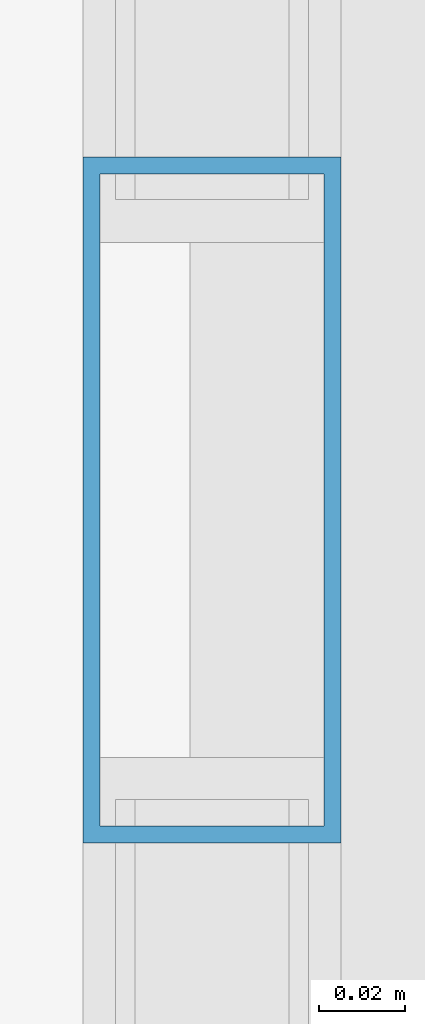
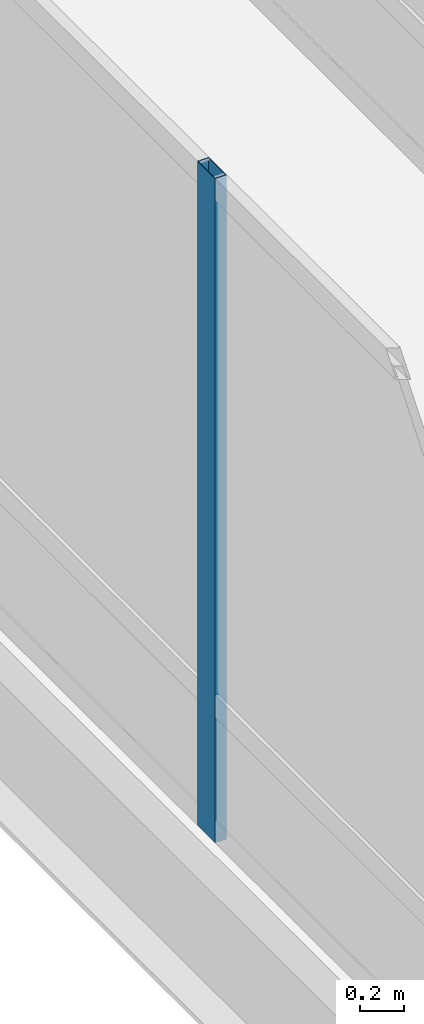
# One storey, part 27 of 220: 1 member, 1 element without a shape of its own.
"""IFC4 building model written with IfcOpenShell, lengths in metres."""

import ifcopenshell
import ifcopenshell.guid

model = None  # the IFC model being written
_history = None  # IfcOwnerHistory: only IFC2X3 demands one
_inside = {}  # id of a spatial element -> (the spatial element, [elements in it])
_under = {}  # id of a project, library or spatial element -> (it, [spatial elements below it])
_declared = {}  # id of a project -> (the project, [libraries it declares])
_typed = {}  # id of a type object -> (the type object, [elements of that type])
_made_of = {}  # id of a material, layer set ... -> (it, [elements and type objects made of it])


def new_model(schema):
    """Start an empty IFC model of exactly this schema.

    Asked for "IFC4X3", IfcOpenShell would pick the latest addendum, in which some entities
    have other attributes; the version numbers below select the first issue.
    IFC2X3 requires an IfcOwnerHistory on every rooted entity: one is made here for all.
    """
    global model, _history
    if schema == "IFC4X3":
        model = ifcopenshell.file(schema_version=(4, 3, 0, 0))
    else:
        model = ifcopenshell.file(schema=schema)
    _inside.clear()
    _under.clear()
    _declared.clear()
    _typed.clear()
    _made_of.clear()
    _history = None
    if model.schema == "IFC2X3":
        org = make("IfcOrganization", Name="unknown")
        user = make(
            "IfcPersonAndOrganization",
            ThePerson=make("IfcPerson", FamilyName="unknown"),
            TheOrganization=org,
        )
        app = make(
            "IfcApplication",
            ApplicationDeveloper=org,
            Version="unknown",
            ApplicationFullName="unknown",
            ApplicationIdentifier="unknown",
        )
        _history = make(
            "IfcOwnerHistory",
            OwningUser=user,
            OwningApplication=app,
            ChangeAction="ADDED",
            CreationDate=0,
        )
    return model


def make(cls, **values):
    """One entity of the class cls with the attributes given. An attribute that is None is left unset."""
    return model.create_entity(
        cls, **{name: value for name, value in values.items() if value is not None}
    )


def rooted(cls, **values):
    """An entity with a GlobalId (a new one), such as an element, a storey or a relation."""
    return make(cls, GlobalId=ifcopenshell.guid.new(), OwnerHistory=_history, **values)


def si_unit(unit_type, name, prefix=None):
    """IfcSIUnit, for example si_unit("LENGTHUNIT", "METRE", prefix="MILLI")."""
    return make("IfcSIUnit", UnitType=unit_type, Prefix=prefix, Name=name)


def assignment(units):
    """IfcUnitAssignment: the units of a project."""
    return None if units is None else make("IfcUnitAssignment", Units=units)


def point(xyz):
    """IfcCartesianPoint."""
    return None if xyz is None else make("IfcCartesianPoint", Coordinates=xyz)


def direction(xyz):
    """IfcDirection."""
    return None if xyz is None else make("IfcDirection", DirectionRatios=xyz)


def frame(location, z_axis=None, x_axis=None):
    """IfcAxis2Placement3D, a coordinate frame: its origin and axes. An axis left out is left unset."""
    return make(
        "IfcAxis2Placement3D",
        Location=point(location),
        Axis=direction(z_axis),
        RefDirection=direction(x_axis),
    )


def frame_2d(location, x_axis=None):
    """IfcAxis2Placement2D, a coordinate frame in the plane: its origin and x axis."""
    return make(
        "IfcAxis2Placement2D", Location=point(location), RefDirection=direction(x_axis)
    )


def origin():
    """The frame at (0, 0, 0) with its axes left unset."""
    return frame((0.0, 0.0, 0.0))


def origin_2d():
    """The frame at (0, 0) in the plane with its x axis left unset."""
    return frame_2d((0.0, 0.0))


def place(relative_to, where):
    """IfcLocalPlacement: puts the frame where relative to a parent placement (None: the world)."""
    return make(
        "IfcLocalPlacement", PlacementRelTo=relative_to, RelativePlacement=where
    )


def context(
    kind, dimensions, precision=None, world=None, true_north=None, identifier=None
):
    """IfcGeometricRepresentationContext, for example the 3D "Model" context."""
    return make(
        "IfcGeometricRepresentationContext",
        ContextIdentifier=identifier,
        ContextType=kind,
        CoordinateSpaceDimension=dimensions,
        Precision=precision,
        WorldCoordinateSystem=world,
        TrueNorth=true_north,
    )


def subcontext(parent, identifier, kind, view, scale=None):
    """IfcGeometricRepresentationSubContext, for example "Body" below "Model"."""
    return make(
        "IfcGeometricRepresentationSubContext",
        ContextIdentifier=identifier,
        ContextType=kind,
        ParentContext=parent,
        TargetScale=scale,
        TargetView=view,
    )


def project(units=None, contexts=None):
    """IfcProject with its units and contexts."""
    return rooted(
        "IfcProject",
        Name="project",
        RepresentationContexts=contexts,
        UnitsInContext=assignment(units),
    )


def spatial(cls, under=None, at=None, **own):
    """A site, building, storey or space (cls), placed at a placement, below another one or the project."""
    s = rooted(cls, ObjectPlacement=at, **own)
    if under is not None:
        _under.setdefault(under.id(), (under, []))[1].append(s)
    return s


def profile(cls, at=None, kind="AREA", **sizes):
    """A parametric profile (cls). Its sizes go by their IFC names, for example OverallWidth=200.0."""
    return make(cls, ProfileType=kind, Position=at, **sizes)


def hollow_rectangle(**sizes):
    """IfcRectangleHollowProfileDef."""
    return profile("IfcRectangleHollowProfileDef", **sizes)


def extrude(swept, where, along, depth):
    """IfcExtrudedAreaSolid: the profile swept, set in the frame where, extruded along a direction by depth."""
    return make(
        "IfcExtrudedAreaSolid",
        SweptArea=swept,
        Position=where,
        ExtrudedDirection=direction(along),
        Depth=depth,
    )


def shape(context_of_items, identifier, shape_type, items):
    """IfcShapeRepresentation: the items that make up one representation, for example the "Body"."""
    return make(
        "IfcShapeRepresentation",
        ContextOfItems=context_of_items,
        RepresentationIdentifier=identifier,
        RepresentationType=shape_type,
        Items=items,
    )


def material(Name=None, Category=None):
    """IfcMaterial."""
    return make("IfcMaterial", Name=Name, Category=Category)


def material_profile(
    of_material, cross_section, Name=None, Category=None, Priority=None
):
    """IfcMaterialProfile: a cross section and its material."""
    return make(
        "IfcMaterialProfile",
        Name=Name,
        Material=of_material,
        Profile=cross_section,
        Priority=Priority,
        Category=Category,
    )


def profile_set(profiles, Name=None, composite=None):
    """IfcMaterialProfileSet."""
    return make(
        "IfcMaterialProfileSet",
        Name=Name,
        MaterialProfiles=profiles,
        CompositeProfile=composite,
    )


def made_of(thing, what):
    """Note that an element or type object is made of a material, layer set ...; save() writes the relation."""
    if what is not None:
        _made_of.setdefault(what.id(), (what, []))[1].append(thing)
    return thing


def type_object(cls, material=None, **own):
    """A type object (cls), such as IfcWallType, which elements share."""
    return made_of(rooted(cls, **own), material)


def element(
    cls,
    number,
    at=None,
    inside=None,
    cuts=None,
    type_object=None,
    material=None,
    context=None,
    identifier="Body",
    shape_type=None,
    held_by="IfcProductDefinitionShape",
    body=None,
    shapes=None,
    **own,
):
    """One element of the class cls, such as IfcWall. Its Tag is "e" and its number.

    at: its placement. inside: the storey or other place that contains it. cuts: it is an
    opening in that element (IfcRelVoidsElement). A single representation is given by context,
    identifier, shape_type and body (its items); several are given by shapes. held_by: the class
    of the entity that holds the representations. save() writes the other relations.
    """
    e = rooted(cls, Tag="e%d" % number, ObjectPlacement=at, **own)
    if body is not None:
        shapes = [shape(context, identifier, shape_type, body)]
    if shapes is not None:
        e.Representation = make(held_by, Representations=shapes)
    if inside is not None:
        _inside.setdefault(inside.id(), (inside, []))[1].append(e)
    if cuts is not None:
        rooted(
            "IfcRelVoidsElement", RelatingBuildingElement=cuts, RelatedOpeningElement=e
        )
    if type_object is not None:
        _typed.setdefault(type_object.id(), (type_object, []))[1].append(e)
    return made_of(e, material)


def aggregate(whole, parts):
    """IfcRelAggregates: a whole, such as a stair, and the parts it consists of."""
    return rooted("IfcRelAggregates", RelatingObject=whole, RelatedObjects=parts)


def save(model, path):
    """Write the relations noted so far, then the file.

    IfcRelAggregates (storeys below a building ...), IfcRelContainedInSpatialStructure (elements
    in a storey), IfcRelDefinesByType, IfcRelAssociatesMaterial and IfcRelDeclares: one each for
    every whole, place, type object, material and project.
    """
    for whole, parts in _under.values():
        aggregate(whole, parts)
    for where, things in _inside.values():
        rooted(
            "IfcRelContainedInSpatialStructure",
            RelatedElements=things,
            RelatingStructure=where,
        )
    for kind, things in _typed.values():
        rooted("IfcRelDefinesByType", RelatedObjects=things, RelatingType=kind)
    for what, things in _made_of.values():
        rooted("IfcRelAssociatesMaterial", RelatedObjects=things, RelatingMaterial=what)
    for by, libraries in _declared.values():
        rooted("IfcRelDeclares", RelatingContext=by, RelatedDefinitions=libraries)
    model.write(path)


model = new_model("IFC4")

# Units and contexts
model_context = context("Model", 3, precision=1e-05, world=origin(), true_north=direction((0.0, 1.0)))
body_context = subcontext(model_context, "Body", "Model", "MODEL_VIEW")
ifc_project = project(units=[si_unit("LENGTHUNIT", "METRE"), si_unit("AREAUNIT", "SQUARE_METRE"), si_unit("VOLUMEUNIT", "CUBIC_METRE"), si_unit("PLANEANGLEUNIT", "RADIAN"), si_unit("MASSUNIT", "GRAM", prefix="KILO")], contexts=[model_context])

# Site, building, storey
site_placement = place(None, origin())
site = spatial("IfcSite", under=ifc_project, at=site_placement, CompositionType="ELEMENT")
building_placement = place(site_placement, origin())
building = spatial("IfcBuilding", under=site, at=building_placement, Name="Cendralis Lancet Convention Centre", CompositionType="ELEMENT")
storey_placement = place(building_placement, frame((0.0, 0.0, 5.39990234375)))
storey = spatial("IfcBuildingStorey", under=building, at=storey_placement, Name="L01", CompositionType="ELEMENT", Elevation=5.39990234375)

# Curtain wall, member
ifc_material = material(Name="Anodised bronze architectural aluminium", Category="aluminium")
curtain_wall_type = type_object("IfcCurtainWallType", Name="ARC-CW-BR01", PredefinedType="USERDEFINED", material=ifc_material)
curtain_wall_placement = place(storey_placement, origin())
curtain_wall = element("IfcCurtainWall", 1, at=curtain_wall_placement, inside=storey, type_object=curtain_wall_type, Name="L01 Curtain Wall CW-BR1 #209", ObjectType="CURTAIN WALL", PredefinedType="USERDEFINED")
ifc_material_profile = material_profile(ifc_material, hollow_rectangle(XDim=0.06005859375, YDim=0.159912109375, WallThickness=0.00390625, at=origin_2d()), Name="AL-MULL 60x160x4.0")
ifc_profile_set = profile_set([ifc_material_profile], Name="Anodised bronze architectural aluminium")
member_type = type_object("IfcMemberType", Name="ARC-CW-ML01", PredefinedType="MULLION", material=ifc_profile_set)
member_placement = place(storey_placement, frame((16.280029296875, 43.199951171875, 0.0), z_axis=(0.0, 0.0, 1.0), x_axis=(1.0, 0.0, 0.0)))
member = element("IfcMember", 2, at=member_placement, type_object=member_type, Name="Mullion CW2-CW-BR1-L01-209-M1", PredefinedType="MULLION", context=body_context, shape_type="SweptSolid", body=[
    extrude(hollow_rectangle(XDim=0.06005859375, YDim=0.159912109375, WallThickness=0.00390625, at=origin_2d()), origin(), (0.0, 0.0, 1.0), 3.650146484375),
])
aggregate(curtain_wall, [member])

save(model, "model.ifc")
